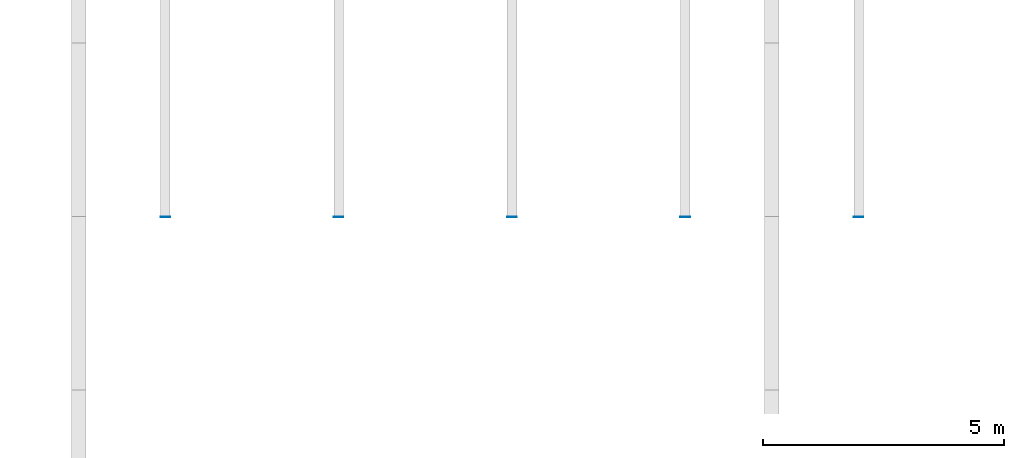
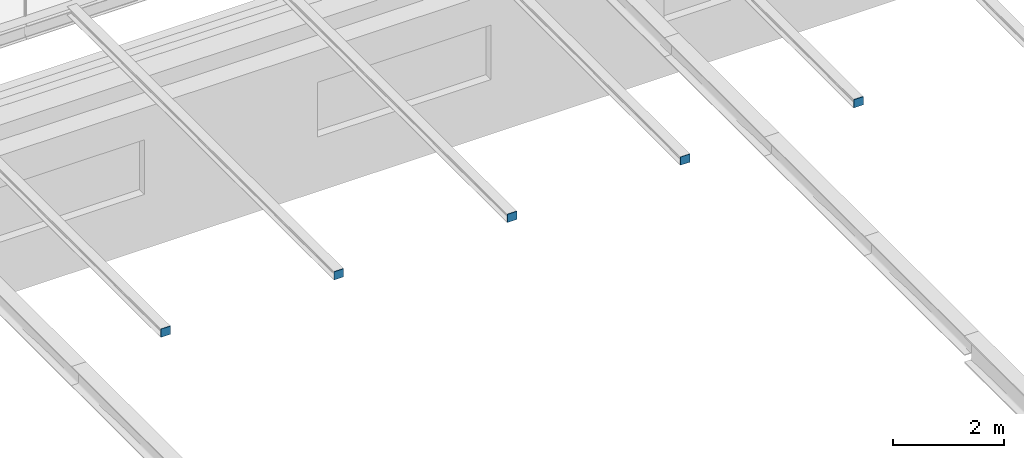
# One storey, part 63 of 110: 5 discrete accessories.
"""IFC4 building model written with IfcOpenShell, lengths in metres."""

from ifc_helpers import new_model, si_unit, direction, frame, origin, origin_2d, place, context, subcontext, project, spatial, rectangle, extrude, material, layer, layer_set, type_object, element, save


model = new_model("IFC4")

# Units and contexts
model_context = context("Model", 3, precision=1e-05, world=origin(), true_north=direction((0.0, 1.0)))
body_context = subcontext(model_context, "Body", "Model", "MODEL_VIEW")
ifc_project = project(units=[si_unit("LENGTHUNIT", "METRE"), si_unit("AREAUNIT", "SQUARE_METRE"), si_unit("VOLUMEUNIT", "CUBIC_METRE"), si_unit("PLANEANGLEUNIT", "RADIAN"), si_unit("MASSUNIT", "GRAM", prefix="KILO")], contexts=[model_context])

# Site, building, storey
site_placement = place(None, origin())
site = spatial("IfcSite", under=ifc_project, at=site_placement, CompositionType="ELEMENT")
building_placement = place(site_placement, origin())
building = spatial("IfcBuilding", under=site, at=building_placement, Name="Kupolbacken Congress Centre", CompositionType="ELEMENT")
storey_placement = place(building_placement, frame((0.0, 0.0, 18.0)))
storey = spatial("IfcBuildingStorey", under=building, at=storey_placement, Name="L05", CompositionType="ELEMENT", Elevation=18.0)

# Discrete accessories
ifc_material = material(Name="Steel S355", Category="steel")
ifc_layer = layer(ifc_material, 0.011962890625)
ifc_layer_set = layer_set([ifc_layer], Name="Steel S355")
discrete_accessory_type = type_object("IfcDiscreteAccessoryType", Name="BK3 bracket end plate 200 x 180 x 12", PredefinedType="BRACKET", material=ifc_layer_set)
for number, where, z_axis, x_axis, name in (
    (1, (138.60009765625, 107.993896484375, 3.60009765625), (0.0, 0.0, 1.0), (1.0, 0.0, 0.0), "Eave bracket end plate N15"),
    (2, (142.199951171875, 107.993896484375, 3.60009765625), (0.0, 0.0, 1.0), (1.0, 0.0, 0.0), "Eave bracket end plate N16"),
    (3, (145.800048828125, 107.993896484375, 3.60009765625), (0.0, 0.0, 1.0), (1.0, 0.0, 0.0), "Eave bracket end plate N17"),
    (4, (149.39990234375, 107.993896484375, 3.60009765625), (0.0, 0.0, 1.0), (1.0, 0.0, 0.0), "Eave bracket end plate N18"),
    (5, (153.0, 107.993896484375, 3.60009765625), (0.0, 0.0, 1.0), (1.0, 0.0, 0.0), "Eave bracket end plate N19"),
):
    element("IfcDiscreteAccessory", number, at=place(storey_placement, frame(where, z_axis=z_axis, x_axis=x_axis)), inside=storey, type_object=discrete_accessory_type, Name=name, PredefinedType="BRACKET", context=body_context, shape_type="SweptSolid", body=[
        extrude(rectangle(XDim=0.199951171875, YDim=0.011962890625, at=origin_2d()), origin(), (0.0, 0.0, 1.0), 0.179931640625),
    ])

save(model, "model.ifc")
